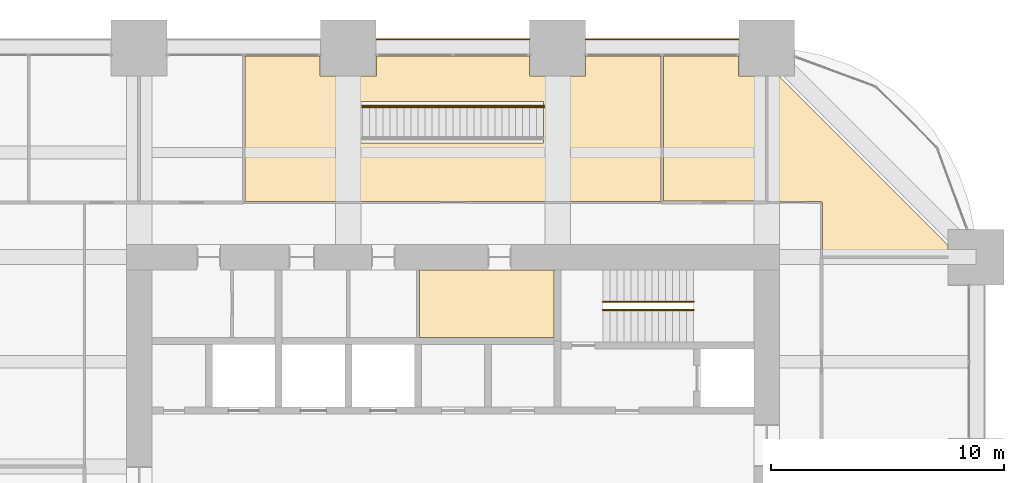
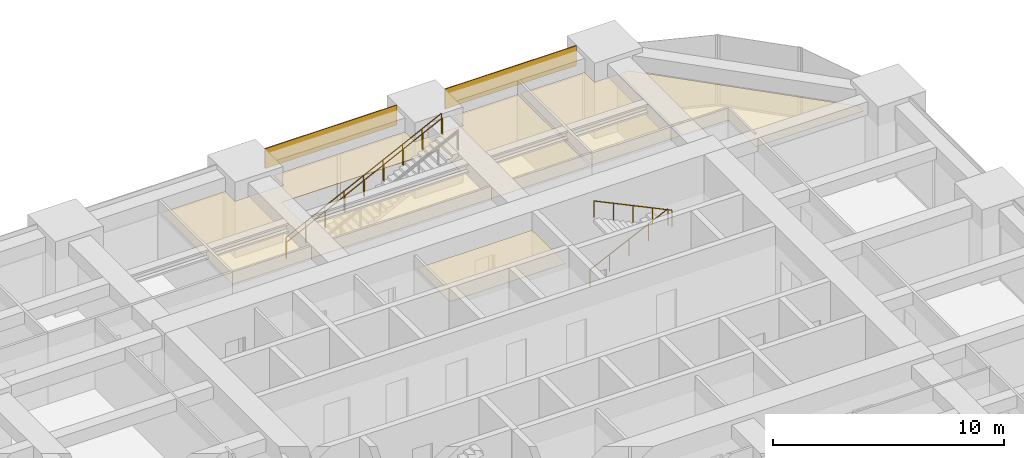
# One storey, part 34 of 34: 6 coverings, 4 railings.
"""IFC4 building model written with IfcOpenShell, lengths in metres."""

from ifc_helpers import new_model, si_unit, direction, frame, frame_2d, origin, origin_2d, place, context, subcontext, project, spatial, polyline, rectangle, circle, outline, extrude, material, layer, layer_set, type_object, element, save


model = new_model("IFC4")

# Units and contexts
model_context = context("Model", 3, precision=1e-05, world=origin(), true_north=direction((0.0, 1.0)))
body_context = subcontext(model_context, "Body", "Model", "MODEL_VIEW")
ifc_project = project(units=[si_unit("LENGTHUNIT", "METRE"), si_unit("AREAUNIT", "SQUARE_METRE"), si_unit("VOLUMEUNIT", "CUBIC_METRE"), si_unit("PLANEANGLEUNIT", "RADIAN"), si_unit("MASSUNIT", "GRAM", prefix="KILO")], contexts=[model_context])

# Site, building, storey
site_placement = place(None, origin())
site = spatial("IfcSite", under=ifc_project, at=site_placement, CompositionType="ELEMENT")
building_placement = place(site_placement, origin())
building = spatial("IfcBuilding", under=site, at=building_placement, Name="Zorevar Civic Tower", CompositionType="ELEMENT")
storey_placement = place(building_placement, frame((0.0, 0.0, 214.199951171875)))
storey = spatial("IfcBuildingStorey", under=building, at=storey_placement, Name="L52", CompositionType="ELEMENT", Elevation=214.199951171875)

# Railings
ifc_material_1 = material(Name="Laminated glass balustrade with black steel handrail", Category="steel")
railing_type_1 = type_object("IfcRailingType", Name="Balustrade BL1 1100", PredefinedType="BALUSTRADE", material=ifc_material_1)
railing_1_placement = place(storey_placement, frame((27.60009765625, 42.52001953125, 0.148193359375)))
element("IfcRailing", 1, at=railing_1_placement, inside=storey, type_object=railing_type_1, Name="Balustrade BL1 interconnecting stair L52", PredefinedType="BALUSTRADE", context=body_context, shape_type="SweptSolid", body=[
    extrude(circle(Radius=0.02392578125, at=origin_2d()), frame((0.0, 0.0, 1.076171875), z_axis=(0.896627794226, 0.0, 0.442785047875), x_axis=(0.0, 1.0, 0.0)), (0.0, 0.0, 1.0), 8.698974609375),
    extrude(circle(Radius=0.02099609375, at=origin_2d()), origin(), (0.0, 0.0, 1.0), 1.052001953125),
    extrude(circle(Radius=0.02099609375, at=origin_2d()), frame((0.97509765625, 0.0, 0.4814453125)), (0.0, 0.0, 1.0), 1.052001953125),
    extrude(circle(Radius=0.02099609375, at=origin_2d()), frame((1.949951171875, 0.0, 0.962890625)), (0.0, 0.0, 1.0), 1.052001953125),
    extrude(circle(Radius=0.02099609375, at=origin_2d()), frame((2.9248046875, 0.0, 1.4443359375)), (0.0, 0.0, 1.0), 1.052001953125),
    extrude(circle(Radius=0.02099609375, at=origin_2d()), frame((3.89990234375, 0.0, 1.92578125)), (0.0, 0.0, 1.0), 1.052001953125),
    extrude(circle(Radius=0.02099609375, at=origin_2d()), frame((4.875, 0.0, 2.407470703125)), (0.0, 0.0, 1.0), 1.052001953125),
    extrude(circle(Radius=0.02099609375, at=origin_2d()), frame((5.849853515625, 0.0, 2.888916015625)), (0.0, 0.0, 1.0), 1.052001953125),
    extrude(circle(Radius=0.02099609375, at=origin_2d()), frame((6.82470703125, 0.0, 3.370361328125)), (0.0, 0.0, 1.0), 1.052001953125),
    extrude(circle(Radius=0.02099609375, at=origin_2d()), frame((7.7998046875, 0.0, 3.851806640625)), (0.0, 0.0, 1.0), 1.052001953125),
])
ifc_material_2 = material(Name="Black steel handrail", Category="steel")
railing_type_2 = type_object("IfcRailingType", Name="Handrail HR1 900", PredefinedType="HANDRAIL", material=ifc_material_2)
railing_2_placement = place(storey_placement, frame((37.949951171875, 34.074951171875, 0.142822265625)))
element("IfcRailing", 2, at=railing_2_placement, inside=storey, type_object=railing_type_2, Name="Handrail HR1 ST2 L52", PredefinedType="HANDRAIL", context=body_context, shape_type="SweptSolid", body=[
    extrude(circle(Radius=0.02392578125, at=origin_2d()), frame((0.0, 0.0, 0.8759765625), z_axis=(0.902863652845, 0.0, 0.429926998885), x_axis=(0.0, 1.0, 0.0)), (0.0, 0.0, 1.0), 4.31982421875),
    extrude(circle(Radius=0.02099609375, at=origin_2d()), origin(), (0.0, 0.0, 1.0), 0.851806640625),
    extrude(circle(Radius=0.02099609375, at=origin_2d()), frame((0.97509765625, 0.0, 0.46435546875)), (0.0, 0.0, 1.0), 0.851806640625),
    extrude(circle(Radius=0.02099609375, at=origin_2d()), frame((1.9501953125, 0.0, 0.9287109375)), (0.0, 0.0, 1.0), 0.851806640625),
    extrude(circle(Radius=0.02099609375, at=origin_2d()), frame((2.925048828125, 0.0, 1.392822265625)), (0.0, 0.0, 1.0), 0.851806640625),
    extrude(circle(Radius=0.02099609375, at=origin_2d()), frame((3.900146484375, 0.0, 1.857177734375)), (0.0, 0.0, 1.0), 0.851806640625),
])
railing_3_placement = place(storey_placement, frame((41.85009765625, 33.72509765625, 2.142822265625)))
element("IfcRailing", 3, at=railing_3_placement, inside=storey, type_object=railing_type_2, Name="Handrail HR1 ST2 L52", PredefinedType="HANDRAIL", context=body_context, shape_type="SweptSolid", body=[
    extrude(circle(Radius=0.02392578125, at=origin_2d()), frame((0.0, 0.0, 0.8759765625), z_axis=(-0.902863652845, 0.0, 0.429926998885), x_axis=(0.0, -1.0, 0.0)), (0.0, 0.0, 1.0), 4.31982421875),
    extrude(circle(Radius=0.02099609375, at=origin_2d()), origin(), (0.0, 0.0, 1.0), 0.851806640625),
    extrude(circle(Radius=0.02099609375, at=origin_2d()), frame((-0.97509765625, 0.0, 0.46435546875)), (0.0, 0.0, 1.0), 0.851806640625),
    extrude(circle(Radius=0.02099609375, at=origin_2d()), frame((-1.9501953125, 0.0, 0.9287109375)), (0.0, 0.0, 1.0), 0.851806640625),
    extrude(circle(Radius=0.02099609375, at=origin_2d()), frame((-2.925048828125, 0.0, 1.392822265625)), (0.0, 0.0, 1.0), 0.851806640625),
    extrude(circle(Radius=0.02099609375, at=origin_2d()), frame((-3.900146484375, 0.0, 1.857177734375)), (0.0, 0.0, 1.0), 0.851806640625),
])
railing_4_placement = place(storey_placement, frame((27.60009765625, 42.449951171875, 0.148193359375)))
element("IfcRailing", 4, at=railing_4_placement, inside=storey, type_object=railing_type_2, Name="Handrail HR1 interconnecting stair L52", PredefinedType="HANDRAIL", context=body_context, shape_type="SweptSolid", body=[
    extrude(circle(Radius=0.02392578125, at=origin_2d()), frame((0.0, 0.0, 0.8759765625), z_axis=(0.896627794226, 0.0, 0.442785047875), x_axis=(0.0, 1.0, 0.0)), (0.0, 0.0, 1.0), 8.698974609375),
    extrude(circle(Radius=0.02099609375, at=origin_2d()), origin(), (0.0, 0.0, 1.0), 0.851806640625),
    extrude(circle(Radius=0.02099609375, at=origin_2d()), frame((0.97509765625, 0.0, 0.4814453125)), (0.0, 0.0, 1.0), 0.851806640625),
    extrude(circle(Radius=0.02099609375, at=origin_2d()), frame((1.949951171875, 0.0, 0.962890625)), (0.0, 0.0, 1.0), 0.851806640625),
    extrude(circle(Radius=0.02099609375, at=origin_2d()), frame((2.9248046875, 0.0, 1.4443359375)), (0.0, 0.0, 1.0), 0.851806640625),
    extrude(circle(Radius=0.02099609375, at=origin_2d()), frame((3.89990234375, 0.0, 1.92578125)), (0.0, 0.0, 1.0), 0.851806640625),
    extrude(circle(Radius=0.02099609375, at=origin_2d()), frame((4.875, 0.0, 2.407470703125)), (0.0, 0.0, 1.0), 0.851806640625),
    extrude(circle(Radius=0.02099609375, at=origin_2d()), frame((5.849853515625, 0.0, 2.888916015625)), (0.0, 0.0, 1.0), 0.851806640625),
    extrude(circle(Radius=0.02099609375, at=origin_2d()), frame((6.82470703125, 0.0, 3.370361328125)), (0.0, 0.0, 1.0), 0.851806640625),
    extrude(circle(Radius=0.02099609375, at=origin_2d()), frame((7.7998046875, 0.0, 3.851806640625)), (0.0, 0.0, 1.0), 0.851806640625),
])

# Coverings
ifc_material_3 = material(Name="Black anodised aluminium spandrel panel", Category="aluminium")
ifc_layer_1 = layer(ifc_material_3, 0.050048828125)
ifc_layer_set_1 = layer_set([ifc_layer_1], Name="Spandrel cladding SP1")
covering_type_1 = type_object("IfcCoveringType", Name="Spandrel cladding SP1", PredefinedType="CLADDING", material=ifc_layer_set_1)
for number, where, z_axis, x_axis, name in (
    (5, (28.199951171875, 45.375, 2.949951171875), (0.0, 0.0, 1.0), (1.0, 0.0, 0.0), "Spandrel cladding L53"),
    (6, (37.199951171875, 45.375, 2.949951171875), (0.0, 0.0, 1.0), (1.0, 0.0, 0.0), "Spandrel cladding L53"),
):
    element("IfcCovering", number, at=place(storey_placement, frame(where, z_axis=z_axis, x_axis=x_axis)), inside=storey, type_object=covering_type_1, Name=name, PredefinedType="CLADDING", context=body_context, shape_type="SweptSolid", body=[
        extrude(rectangle(XDim=6.60009765625, YDim=0.050048828125, at=frame_2d((3.300048828125, 0.0))), origin(), (0.0, 0.0, 1.0), 1.050048828125),
    ])
ifc_material_4 = material(Name="Mineral fibre tiles on a concealed grid")
ifc_layer_2 = layer(ifc_material_4, 0.02001953125)
ifc_layer_set_2 = layer_set([ifc_layer_2], Name="Suspended ceiling SC1")
covering_type_2 = type_object("IfcCoveringType", Name="Suspended ceiling SC1", PredefinedType="CEILING", material=ifc_layer_set_2)
covering_1_placement = place(storey_placement, frame((0.0, 0.0, 3.0)))
element("IfcCovering", 7, at=covering_1_placement, inside=storey, type_object=covering_type_2, Name="Ceiling L52-08", PredefinedType="CEILING", context=body_context, shape_type="SweptSolid", body=[
    extrude(outline(polyline([(35.85009765625, 32.550048828125), (35.85009765625, 35.449951171875), (30.06005859375, 35.449951171875), (30.06005859375, 32.550048828125), (35.85009765625, 32.550048828125)])), origin(), (0.0, 0.0, 1.0), 0.02001953125),
])
covering_2_placement = place(storey_placement, frame((0.0, 0.0, 3.0)))
element("IfcCovering", 8, at=covering_2_placement, inside=storey, type_object=covering_type_2, Name="Ceiling L52-28", PredefinedType="CEILING", context=body_context, shape_type="SweptSolid", body=[
    extrude(outline(polyline([(40.56005859375, 38.409912109375), (40.56005859375, 44.64990234375), (43.7900390625, 44.64990234375), (43.7900390625, 43.7900390625), (44.93994140625, 43.7900390625), (44.93994140625, 38.409912109375), (40.56005859375, 38.409912109375)])), origin(), (0.0, 0.0, 1.0), 0.02001953125),
])
covering_3_placement = place(storey_placement, frame((0.0, 0.0, 3.0)))
element("IfcCovering", 9, at=covering_3_placement, inside=storey, type_object=covering_type_2, Name="Ceiling L52-42", PredefinedType="CEILING", context=body_context, shape_type="SweptSolid", body=[
    extrude(outline(polyline([(28.2099609375, 43.7900390625), (28.2099609375, 44.64990234375), (34.7900390625, 44.64990234375), (34.7900390625, 43.7900390625), (37.2099609375, 43.7900390625), (37.2099609375, 44.64990234375), (40.43994140625, 44.64990234375), (40.43994140625, 38.39990234375), (22.56005859375, 38.39990234375), (22.56005859375, 44.64990234375), (25.7900390625, 44.64990234375), (25.7900390625, 43.7900390625), (28.2099609375, 43.7900390625)]), holes=[polyline([(35.39990234375, 42.699951171875), (27.5, 42.699951171875), (27.5, 40.89990234375), (35.39990234375, 40.89990234375), (35.39990234375, 42.699951171875)])]), origin(), (0.0, 0.0, 1.0), 0.02001953125),
])
covering_4_placement = place(storey_placement, frame((0.0, 0.0, 3.0)))
element("IfcCovering", 10, at=covering_4_placement, inside=storey, type_object=covering_type_2, Name="Ceiling L52-43", PredefinedType="CEILING", context=body_context, shape_type="SweptSolid", body=[
    extrude(outline(polyline([(47.3505859375, 38.40087890625), (45.06103515625, 38.40087890625), (45.06103515625, 43.7900390625), (45.5029296875, 43.7900390625), (52.7900390625, 36.5029296875), (52.7900390625, 36.06005859375), (47.39990234375, 36.06005859375), (47.40087890625, 38.35009765625), (47.35107421875, 38.35107421875), (47.3505859375, 38.40087890625)])), origin(), (0.0, 0.0, 1.0), 0.02001953125),
])

save(model, "model.ifc")
